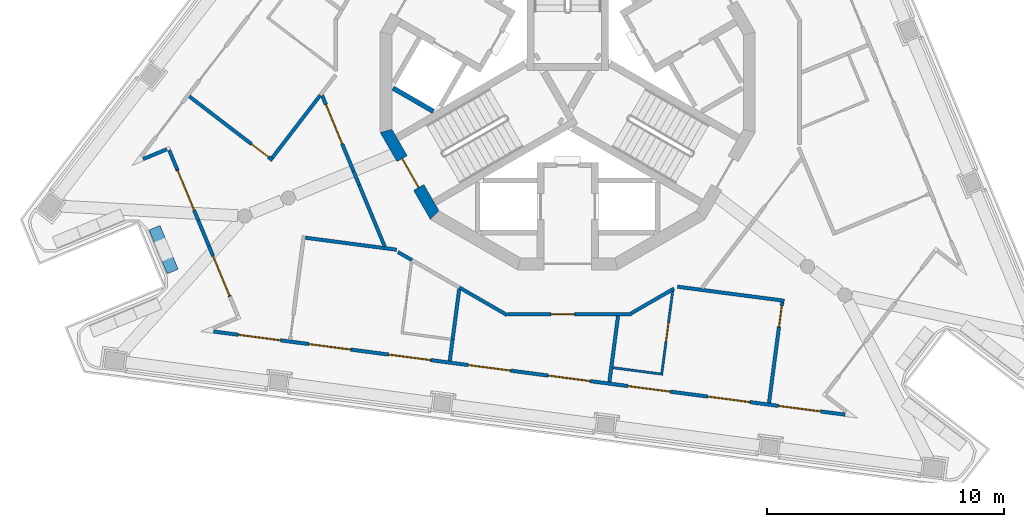
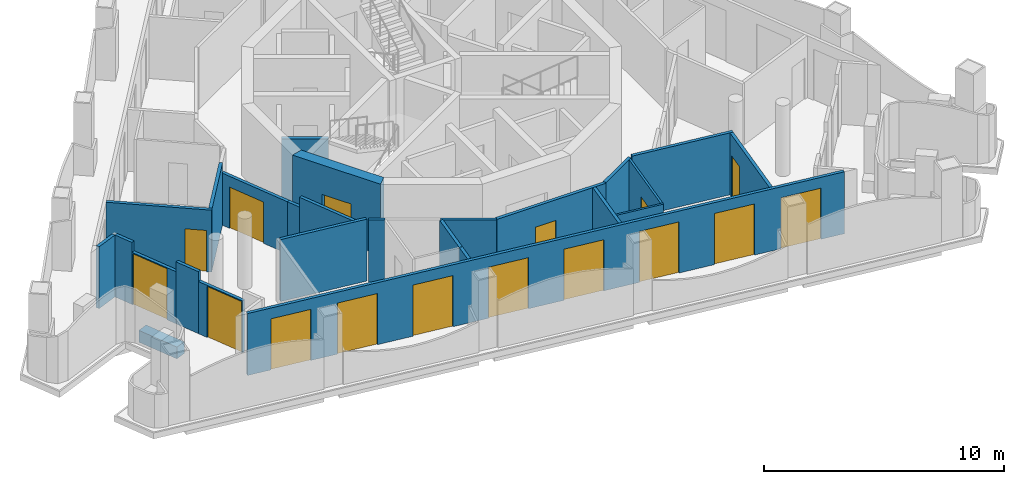
# One storey, part 2 of 12: 26 walls, 16 doors, 16 openings.
"""IFC4 building model written with IfcOpenShell, lengths in metres."""

from ifc_helpers import new_model, si_unit, direction, frame, frame_2d, origin, place, context, subcontext, project, spatial, polyline, rectangle, outline, extrude, material, layer, layer_set, type_object, element, fill, save


model = new_model("IFC4")

# Units and contexts
model_context = context("Model", 3, precision=1e-05, world=origin(), true_north=direction((0.0, 1.0)))
body_context = subcontext(model_context, "Body", "Model", "MODEL_VIEW")
ifc_project = project(units=[si_unit("LENGTHUNIT", "METRE"), si_unit("AREAUNIT", "SQUARE_METRE"), si_unit("VOLUMEUNIT", "CUBIC_METRE"), si_unit("PLANEANGLEUNIT", "RADIAN"), si_unit("MASSUNIT", "GRAM", prefix="KILO")], contexts=[model_context])

# Site, building, storey
site_placement = place(None, origin())
site = spatial("IfcSite", under=ifc_project, at=site_placement, CompositionType="ELEMENT")
building_placement = place(site_placement, origin())
building = spatial("IfcBuilding", under=site, at=building_placement, Name="Trine Commons Tower", CompositionType="ELEMENT")
storey_placement = place(building_placement, frame((0.0, 0.0, 297.0)))
storey = spatial("IfcBuildingStorey", under=building, at=storey_placement, Name="L78", CompositionType="ELEMENT", Elevation=297.0)

# Wall, openings, doors
ifc_material_1 = material(Name="Aluminium-framed insulated wall panel", Category="aluminium")
ifc_layer_1 = layer(ifc_material_1, 0.14990234375)
ifc_layer_set_1 = layer_set([ifc_layer_1], Name="Aluminium-framed insulated wall panel")
wall_type_1 = type_object("IfcWallType", Name="Glazed frame wall 150, EI 60", PredefinedType="SOLIDWALL", material=ifc_layer_set_1)
wall_1_placement = place(storey_placement, frame((91.869140625, 48.4384765625, 0.0), z_axis=(0.0, 0.0, 1.0), x_axis=(-0.991445282789, 0.130522991213, 0.0)))
wall_1 = element("IfcWall", 1, at=wall_1_placement, inside=storey, type_object=wall_type_1, Name="Glazed frame wall F3", PredefinedType="SOLIDWALL", context=body_context, shape_type="SweptSolid", body=[
    extrude(outline(polyline([(0.1494140625, 0.074951171875), (0.1494140625, -0.074951171875), (27.056884765625, -0.074951171875), (27.056884765625, 0.074951171875), (0.1494140625, 0.074951171875)])), origin(), (0.0, 0.0, 1.0), 3.14990234375),
])
opening_1_placement = place(wall_1_placement, frame((1.200439453125, 0.0, 0.0)))
opening_1 = element("IfcOpeningElement", 2, at=opening_1_placement, cuts=wall_1, Name="Opening BD-8F3-01", PredefinedType="OPENING", context=body_context, shape_type="SweptSolid", body=[
    extrude(rectangle(XDim=1.800048828125, YDim=2.60009765625, at=frame_2d((0.89990234375, 1.300048828125))), frame((0.0, 0.0849609375, 0.0), z_axis=(0.0, -1.0, 0.0), x_axis=(1.0, 0.0, 0.0)), (0.0, 0.0, 1.0), 0.169921875),
])
opening_2_placement = place(wall_1_placement, frame((4.201171875, 0.0, 0.0)))
opening_2 = element("IfcOpeningElement", 3, at=opening_2_placement, cuts=wall_1, Name="Opening BD-8F3-02", PredefinedType="OPENING", context=body_context, shape_type="SweptSolid", body=[
    extrude(rectangle(XDim=1.800048828125, YDim=2.60009765625, at=frame_2d((0.89990234375, 1.300048828125))), frame((0.0, 0.0849609375, 0.0), z_axis=(0.0, -1.0, 0.0), x_axis=(1.0, 0.0, 0.0)), (0.0, 0.0, 1.0), 0.169921875),
])
opening_3_placement = place(wall_1_placement, frame((7.60205078125, 0.0, 0.0)))
opening_3 = element("IfcOpeningElement", 4, at=opening_3_placement, cuts=wall_1, Name="Opening BD-8F3-03", PredefinedType="OPENING", context=body_context, shape_type="SweptSolid", body=[
    extrude(rectangle(XDim=1.800048828125, YDim=2.60009765625, at=frame_2d((0.89990234375, 1.300048828125))), frame((0.0, 0.0849609375, 0.0), z_axis=(0.0, -1.0, 0.0), x_axis=(1.0, 0.0, 0.0)), (0.0, 0.0, 1.0), 0.169921875),
])
opening_4_placement = place(wall_1_placement, frame((11.002685546875, 0.0, 0.0)))
opening_4 = element("IfcOpeningElement", 5, at=opening_4_placement, cuts=wall_1, Name="Opening BD-8F3-04", PredefinedType="OPENING", context=body_context, shape_type="SweptSolid", body=[
    extrude(rectangle(XDim=1.800048828125, YDim=2.60009765625, at=frame_2d((0.89990234375, 1.300048828125))), frame((0.0, 0.0849609375, 0.0), z_axis=(0.0, -1.0, 0.0), x_axis=(1.0, 0.0, 0.0)), (0.0, 0.0, 1.0), 0.169921875),
])
opening_5_placement = place(wall_1_placement, frame((14.403564453125, 0.0, 0.0)))
opening_5 = element("IfcOpeningElement", 6, at=opening_5_placement, cuts=wall_1, Name="Opening BD-8F3-05", PredefinedType="OPENING", context=body_context, shape_type="SweptSolid", body=[
    extrude(rectangle(XDim=1.800048828125, YDim=2.60009765625, at=frame_2d((0.89990234375, 1.300048828125))), frame((0.0, 0.0849609375, 0.0), z_axis=(0.0, -1.0, 0.0), x_axis=(1.0, 0.0, 0.0)), (0.0, 0.0, 1.0), 0.169921875),
])
opening_6_placement = place(wall_1_placement, frame((17.804443359375, 0.0, 0.0)))
opening_6 = element("IfcOpeningElement", 7, at=opening_6_placement, cuts=wall_1, Name="Opening BD-8F3-06", PredefinedType="OPENING", context=body_context, shape_type="SweptSolid", body=[
    extrude(rectangle(XDim=1.800048828125, YDim=2.60009765625, at=frame_2d((0.89990234375, 1.300048828125))), frame((0.0, 0.0849609375, 0.0), z_axis=(0.0, -1.0, 0.0), x_axis=(1.0, 0.0, 0.0)), (0.0, 0.0, 1.0), 0.169921875),
])
opening_7_placement = place(wall_1_placement, frame((21.205078125, 0.0, 0.0)))
opening_7 = element("IfcOpeningElement", 8, at=opening_7_placement, cuts=wall_1, Name="Opening BD-8F3-07", PredefinedType="OPENING", context=body_context, shape_type="SweptSolid", body=[
    extrude(rectangle(XDim=1.800048828125, YDim=2.60009765625, at=frame_2d((0.89990234375, 1.300048828125))), frame((0.0, 0.0849609375, 0.0), z_axis=(0.0, -1.0, 0.0), x_axis=(1.0, 0.0, 0.0)), (0.0, 0.0, 1.0), 0.169921875),
])
opening_8_placement = place(wall_1_placement, frame((24.2060546875, 0.0, 0.0)))
opening_8 = element("IfcOpeningElement", 9, at=opening_8_placement, cuts=wall_1, Name="Opening BD-8F3-08", PredefinedType="OPENING", context=body_context, shape_type="SweptSolid", body=[
    extrude(rectangle(XDim=1.800048828125, YDim=2.60009765625, at=frame_2d((0.89990234375, 1.300048828125))), frame((0.0, 0.0849609375, 0.0), z_axis=(0.0, -1.0, 0.0), x_axis=(1.0, 0.0, 0.0)), (0.0, 0.0, 1.0), 0.169921875),
])
ifc_material_2 = material(Name="Anodised aluminium frame with double glazing", Category="aluminium")
door_type_1 = type_object("IfcDoorType", Name="Sliding loggia door 1800x2600", OperationType="SLIDING_TO_LEFT", PredefinedType="DOOR", material=ifc_material_2)
door_1_placement = place(opening_1_placement, origin())
door_1 = element("IfcDoor", 10, at=door_1_placement, inside=storey, type_object=door_type_1, Name="Loggia door F3 1", OperationType="SLIDING_TO_LEFT", OverallHeight=2.60009765625, OverallWidth=1.800048828125, PredefinedType="DOOR", context=body_context, shape_type="SweptSolid", body=[
    extrude(rectangle(XDim=1.800048828125, YDim=2.60009765625, at=frame_2d((0.89990234375, 1.300048828125))), frame((0.0, 0.02490234375, 0.0), z_axis=(0.0, -1.0, 0.0), x_axis=(1.0, 0.0, 0.0)), (0.0, 0.0, 1.0), 0.050048828125),
])
fill(opening_1, door_1)
door_2_placement = place(opening_2_placement, origin())
door_2 = element("IfcDoor", 11, at=door_2_placement, inside=storey, type_object=door_type_1, Name="Loggia door F3 2", OperationType="SLIDING_TO_LEFT", OverallHeight=2.60009765625, OverallWidth=1.800048828125, PredefinedType="DOOR", context=body_context, shape_type="SweptSolid", body=[
    extrude(rectangle(XDim=1.800048828125, YDim=2.60009765625, at=frame_2d((0.89990234375, 1.300048828125))), frame((0.0, 0.02490234375, 0.0), z_axis=(0.0, -1.0, 0.0), x_axis=(1.0, 0.0, 0.0)), (0.0, 0.0, 1.0), 0.050048828125),
])
fill(opening_2, door_2)
door_3_placement = place(opening_3_placement, origin())
door_3 = element("IfcDoor", 12, at=door_3_placement, inside=storey, type_object=door_type_1, Name="Loggia door F3 3", OperationType="SLIDING_TO_LEFT", OverallHeight=2.60009765625, OverallWidth=1.800048828125, PredefinedType="DOOR", context=body_context, shape_type="SweptSolid", body=[
    extrude(rectangle(XDim=1.800048828125, YDim=2.60009765625, at=frame_2d((0.89990234375, 1.300048828125))), frame((0.0, 0.02490234375, 0.0), z_axis=(0.0, -1.0, 0.0), x_axis=(1.0, 0.0, 0.0)), (0.0, 0.0, 1.0), 0.050048828125),
])
fill(opening_3, door_3)
door_4_placement = place(opening_4_placement, origin())
door_4 = element("IfcDoor", 13, at=door_4_placement, inside=storey, type_object=door_type_1, Name="Loggia door F3 4", OperationType="SLIDING_TO_LEFT", OverallHeight=2.60009765625, OverallWidth=1.800048828125, PredefinedType="DOOR", context=body_context, shape_type="SweptSolid", body=[
    extrude(rectangle(XDim=1.800048828125, YDim=2.60009765625, at=frame_2d((0.89990234375, 1.300048828125))), frame((0.0, 0.02490234375, 0.0), z_axis=(0.0, -1.0, 0.0), x_axis=(1.0, 0.0, 0.0)), (0.0, 0.0, 1.0), 0.050048828125),
])
fill(opening_4, door_4)
door_5_placement = place(opening_5_placement, origin())
door_5 = element("IfcDoor", 14, at=door_5_placement, inside=storey, type_object=door_type_1, Name="Loggia door F3 5", OperationType="SLIDING_TO_LEFT", OverallHeight=2.60009765625, OverallWidth=1.800048828125, PredefinedType="DOOR", context=body_context, shape_type="SweptSolid", body=[
    extrude(rectangle(XDim=1.800048828125, YDim=2.60009765625, at=frame_2d((0.89990234375, 1.300048828125))), frame((0.0, 0.02490234375, 0.0), z_axis=(0.0, -1.0, 0.0), x_axis=(1.0, 0.0, 0.0)), (0.0, 0.0, 1.0), 0.050048828125),
])
fill(opening_5, door_5)
door_6_placement = place(opening_6_placement, origin())
door_6 = element("IfcDoor", 15, at=door_6_placement, inside=storey, type_object=door_type_1, Name="Loggia door F3 6", OperationType="SLIDING_TO_LEFT", OverallHeight=2.60009765625, OverallWidth=1.800048828125, PredefinedType="DOOR", context=body_context, shape_type="SweptSolid", body=[
    extrude(rectangle(XDim=1.800048828125, YDim=2.60009765625, at=frame_2d((0.89990234375, 1.300048828125))), frame((0.0, 0.02490234375, 0.0), z_axis=(0.0, -1.0, 0.0), x_axis=(1.0, 0.0, 0.0)), (0.0, 0.0, 1.0), 0.050048828125),
])
fill(opening_6, door_6)
door_7_placement = place(opening_7_placement, origin())
door_7 = element("IfcDoor", 16, at=door_7_placement, inside=storey, type_object=door_type_1, Name="Loggia door F3 7", OperationType="SLIDING_TO_LEFT", OverallHeight=2.60009765625, OverallWidth=1.800048828125, PredefinedType="DOOR", context=body_context, shape_type="SweptSolid", body=[
    extrude(rectangle(XDim=1.800048828125, YDim=2.60009765625, at=frame_2d((0.89990234375, 1.300048828125))), frame((0.0, 0.02490234375, 0.0), z_axis=(0.0, -1.0, 0.0), x_axis=(1.0, 0.0, 0.0)), (0.0, 0.0, 1.0), 0.050048828125),
])
fill(opening_7, door_7)
door_8_placement = place(opening_8_placement, origin())
door_8 = element("IfcDoor", 17, at=door_8_placement, inside=storey, type_object=door_type_1, Name="Loggia door F3 8", OperationType="SLIDING_TO_LEFT", OverallHeight=2.60009765625, OverallWidth=1.800048828125, PredefinedType="DOOR", context=body_context, shape_type="SweptSolid", body=[
    extrude(rectangle(XDim=1.800048828125, YDim=2.60009765625, at=frame_2d((0.89990234375, 1.300048828125))), frame((0.0, 0.02490234375, 0.0), z_axis=(0.0, -1.0, 0.0), x_axis=(1.0, 0.0, 0.0)), (0.0, 0.0, 1.0), 0.050048828125),
])
fill(opening_8, door_8)

# Wall, opening, door
wall_2_placement = place(storey_placement, frame((65.72802734375, 53.449462890625, 0.0), z_axis=(0.0, 0.0, 1.0), x_axis=(-0.382693948857, 0.923875176368, 0.0)))
wall_2 = element("IfcWall", 18, at=wall_2_placement, inside=storey, type_object=wall_type_1, Name="Glazed frame wall P3.2", PredefinedType="SOLIDWALL", context=body_context, shape_type="SweptSolid", body=[
    extrude(outline(polyline([(0.0, -0.074951171875), (2.310791015625, -0.074951171875), (2.310791015625, 0.074951171875), (0.0, 0.074951171875), (0.0, -0.074951171875)])), origin(), (0.0, 0.0, 1.0), 2.64990234375),
])
opening_9_placement = place(wall_2_placement, frame((0.050048828125, 0.0, 0.0)))
opening_9 = element("IfcOpeningElement", 19, at=opening_9_placement, cuts=wall_2, Name="Opening BD-8P3-01", PredefinedType="OPENING", context=body_context, shape_type="SweptSolid", body=[
    extrude(rectangle(XDim=1.800048828125, YDim=2.60009765625, at=frame_2d((0.89990234375, 1.300048828125))), frame((0.0, 0.0849609375, 0.0), z_axis=(0.0, -1.0, 0.0), x_axis=(1.0, 0.0, 0.0)), (0.0, 0.0, 1.0), 0.169921875),
])
door_9_placement = place(opening_9_placement, origin())
door_9 = element("IfcDoor", 20, at=door_9_placement, inside=storey, type_object=door_type_1, Name="Loggia door P3 1", OperationType="SLIDING_TO_LEFT", OverallHeight=2.60009765625, OverallWidth=1.800048828125, PredefinedType="DOOR", context=body_context, shape_type="SweptSolid", body=[
    extrude(rectangle(XDim=1.800048828125, YDim=2.60009765625, at=frame_2d((0.89990234375, 1.300048828125))), frame((0.0, 0.02490234375, 0.0), z_axis=(0.0, -1.0, 0.0), x_axis=(1.0, 0.0, 0.0)), (0.0, 0.0, 1.0), 0.050048828125),
])
fill(opening_9, door_9)

# Wall
wall_3_placement = place(storey_placement, frame((64.84375, 55.584228515625, 0.0), z_axis=(0.0, 0.0, 1.0), x_axis=(-0.382790839847, 0.923835035561, 0.0)))
element("IfcWall", 21, at=wall_3_placement, inside=storey, type_object=wall_type_1, Name="Glazed frame wall P3.3", PredefinedType="SOLIDWALL", context=body_context, shape_type="SweptSolid", body=[
    extrude(outline(polyline([(0.0, -0.074951171875), (1.1787109375, -0.074951171875), (1.1787109375, 0.074951171875), (0.0, 0.074951171875), (0.0, -0.074951171875)])), origin(), (0.0, 0.0, 1.0), 3.14990234375),
])

# Wall, opening, door
wall_4_placement = place(storey_placement, frame((64.392578125, 56.673095703125, 0.0), z_axis=(0.0, 0.0, 1.0), x_axis=(-0.382693948857, 0.923875176368, 0.0)))
wall_4 = element("IfcWall", 22, at=wall_4_placement, inside=storey, type_object=wall_type_1, Name="Glazed frame wall P3.4", PredefinedType="SOLIDWALL", context=body_context, shape_type="SweptSolid", body=[
    extrude(outline(polyline([(0.0, -0.074951171875), (2.310546875, -0.074951171875), (2.310546875, 0.074951171875), (0.0, 0.074951171875), (0.0, -0.074951171875)])), origin(), (0.0, 0.0, 1.0), 2.64990234375),
])
opening_10_placement = place(wall_4_placement, frame((0.460693359375, 0.0, 0.0)))
opening_10 = element("IfcOpeningElement", 23, at=opening_10_placement, cuts=wall_4, Name="Opening BD-8P3-02", PredefinedType="OPENING", context=body_context, shape_type="SweptSolid", body=[
    extrude(rectangle(XDim=1.800048828125, YDim=2.60009765625, at=frame_2d((0.89990234375, 1.300048828125))), frame((0.0, 0.0849609375, 0.0), z_axis=(0.0, -1.0, 0.0), x_axis=(1.0, 0.0, 0.0)), (0.0, 0.0, 1.0), 0.169921875),
])
door_10_placement = place(opening_10_placement, origin())
door_10 = element("IfcDoor", 24, at=door_10_placement, inside=storey, type_object=door_type_1, Name="Loggia door P3 2", OperationType="SLIDING_TO_LEFT", OverallHeight=2.60009765625, OverallWidth=1.800048828125, PredefinedType="DOOR", context=body_context, shape_type="SweptSolid", body=[
    extrude(rectangle(XDim=1.800048828125, YDim=2.60009765625, at=frame_2d((0.89990234375, 1.300048828125))), frame((0.0, 0.02490234375, 0.0), z_axis=(0.0, -1.0, 0.0), x_axis=(1.0, 0.0, 0.0)), (0.0, 0.0, 1.0), 0.050048828125),
])
fill(opening_10, door_10)

# Walls
wall_5_placement = place(storey_placement, frame((63.50830078125, 58.807861328125, 0.0), z_axis=(0.0, 0.0, 1.0), x_axis=(-0.382603377961, 0.923912688068, 0.0)))
element("IfcWall", 25, at=wall_5_placement, inside=storey, type_object=wall_type_1, Name="Glazed frame wall P3.5", PredefinedType="SOLIDWALL", context=body_context, shape_type="SweptSolid", body=[
    extrude(outline(polyline([(0.889892578125, 0.074951171875), (0.0, 0.074951171875), (0.0, -0.074951171875), (0.889892578125, -0.074951171875), (0.889892578125, 0.074951171875)])), origin(), (0.0, 0.0, 1.0), 3.14990234375),
])
wall_6_placement = place(storey_placement, frame((63.17138671875, 59.712890625, 0.0), z_axis=(0.0, 0.0, 1.0), x_axis=(-0.923837625967, -0.382784588048, 0.0)))
element("IfcWall", 26, at=wall_6_placement, inside=storey, type_object=wall_type_1, Name="Glazed frame wall R12", PredefinedType="SOLIDWALL", context=body_context, shape_type="SweptSolid", body=[
    extrude(outline(polyline([(0.110107421875, 0.074951171875), (0.110107421875, -0.074951171875), (1.19580078125, -0.074951171875), (1.19580078125, 0.074951171875), (0.110107421875, 0.074951171875)])), origin(), (0.0, 0.0, 1.0), 3.14990234375),
])
ifc_material_3 = material(Name="Planter trough, precast concrete C40/50", Category="concrete")
ifc_layer_2 = layer(ifc_material_3, 0.5)
ifc_layer_set_2 = layer_set([ifc_layer_2], Name="Planter trough, precast concrete C40/50")
wall_type_2 = type_object("IfcWallType", Name="Planter trough 500x600", PredefinedType="PARAPET", material=ifc_layer_set_2)
wall_7_placement = place(storey_placement, frame((63.314697265625, 54.50634765625, 0.0), z_axis=(0.0, 0.0, 1.0), x_axis=(-0.382707581205, 0.923869529365, 0.0)))
element("IfcWall", 27, at=wall_7_placement, inside=storey, type_object=wall_type_2, Name="Planter 2", PredefinedType="PARAPET", context=body_context, shape_type="SweptSolid", body=[
    extrude(rectangle(XDim=2.0, YDim=0.5, at=frame_2d((1.0, 0.0))), origin(), (0.0, 0.0, 1.0), 0.60009765625),
])

# Wall, opening, door
ifc_material_4 = material(Name="Concrete C50/60", Category="concrete")
ifc_layer_3 = layer(ifc_material_4, 0.5)
ifc_layer_set_3 = layer_set([ifc_layer_3], Name="Concrete C50/60")
wall_type_3 = type_object("IfcWallType", Name="RC shear wall 500 mm, C50/60", PredefinedType="SHEAR", material=ifc_layer_set_3)
wall_8_placement = place(storey_placement, frame((72.2958984375, 60.502685546875, 0.0), z_axis=(0.0, 0.0, 1.0), x_axis=(0.499992968425, -0.866029463428, 0.0)))
wall_8 = element("IfcWall", 28, at=wall_8_placement, inside=storey, type_object=wall_type_3, Name="Core wall CWH-08 L78", PredefinedType="SHEAR", context=body_context, shape_type="SweptSolid", body=[
    extrude(outline(polyline([(0.0, -0.25), (4.24462890625, -0.25), (4.110595703125, 0.25), (0.134033203125, 0.25), (0.0, -0.25)])), origin(), (0.0, 0.0, 1.0), 3.60009765625),
])
opening_11_placement = place(wall_8_placement, frame((1.42236328125, 0.0, 0.0)))
opening_11 = element("IfcOpeningElement", 29, at=opening_11_placement, cuts=wall_8, Name="Opening K18.02", PredefinedType="OPENING", context=body_context, shape_type="SweptSolid", body=[
    extrude(rectangle(XDim=1.39990234375, YDim=2.10009765625, at=frame_2d((0.699951171875, 1.050048828125))), frame((0.0, 0.260009765625, 0.0), z_axis=(0.0, -1.0, 0.0), x_axis=(1.0, 0.0, 0.0)), (0.0, 0.0, 1.0), 0.52001953125),
])
ifc_material_5 = material(Name="Steel door leaves, fire-rated", Category="steel")
door_type_2 = type_object("IfcDoorType", Name="Stair door, double leaf 1400 x 2100, FD90", OperationType="DOUBLE_DOOR_SINGLE_SWING", PredefinedType="DOOR", material=ifc_material_5)
door_11_placement = place(opening_11_placement, origin())
door_11 = element("IfcDoor", 30, at=door_11_placement, inside=storey, type_object=door_type_2, Name="Stair door to Exit stair ST2D L78", OperationType="DOUBLE_DOOR_SINGLE_SWING", OverallHeight=2.10009765625, OverallWidth=1.39990234375, PredefinedType="DOOR", context=body_context, shape_type="SweptSolid", body=[
    extrude(rectangle(XDim=1.39990234375, YDim=2.10009765625, at=frame_2d((0.699951171875, 1.050048828125))), frame((0.0, 0.02490234375, 0.0), z_axis=(0.0, -1.0, 0.0), x_axis=(1.0, 0.0, 0.0)), (0.0, 0.0, 1.0), 0.050048828125),
])
fill(opening_11, door_11)

# Wall
ifc_material_6 = material(Name="Fire-rated gypsum shaft wall system")
ifc_layer_4 = layer(ifc_material_6, 0.199951171875)
ifc_layer_set_4 = layer_set([ifc_layer_4], Name="Fire-rated gypsum shaft wall system")
wall_type_4 = type_object("IfcWallType", Name="Shaft wall 200 mm, EI 120", PredefinedType="PARTITIONING", material=ifc_layer_set_4)
wall_9_placement = place(storey_placement, frame((74.324951171875, 61.27294921875, 0.0), z_axis=(0.0, 0.0, 1.0), x_axis=(-0.86585547495, 0.500294209939, 0.0)))
element("IfcWall", 31, at=wall_9_placement, inside=storey, type_object=wall_type_4, Name="Shaft wall L78", PredefinedType="PARTITIONING", context=body_context, shape_type="SweptSolid", body=[
    extrude(rectangle(XDim=1.958740234375, YDim=0.199951171875, at=frame_2d((0.9794921875, 0.0))), origin(), (0.0, 0.0, 1.0), 3.14990234375),
])

# Wall, opening, door
ifc_material_7 = material(Name="Gypsum plasterboard on steel stud", Category="steel")
ifc_layer_5 = layer(ifc_material_7, 0.14990234375)
ifc_layer_set_5 = layer_set([ifc_layer_5], Name="Gypsum plasterboard on steel stud")
wall_type_5 = type_object("IfcWallType", Name="Unit and corridor wall 150 mm, EI 60", PredefinedType="PARTITIONING", material=ifc_layer_set_5)
wall_10_placement = place(storey_placement, frame((64.017578125, 61.903564453125, 0.0), z_axis=(0.0, 0.0, 1.0), x_axis=(0.793364364442, -0.608747061786, 0.0)))
wall_10 = element("IfcWall", 32, at=wall_10_placement, inside=storey, type_object=wall_type_5, Name="Partition 001", PredefinedType="PARTITIONING", context=body_context, shape_type="SweptSolid", body=[
    extrude(rectangle(XDim=4.43408203125, YDim=0.14990234375, at=frame_2d((2.217041015625, 0.0))), origin(), (0.0, 0.0, 1.0), 3.14990234375),
])
opening_12_placement = place(wall_10_placement, frame((3.30908203125, 0.0, 0.0)))
opening_12 = element("IfcOpeningElement", 33, at=opening_12_placement, cuts=wall_10, Name="Opening D-8C04", PredefinedType="OPENING", context=body_context, shape_type="SweptSolid", body=[
    extrude(rectangle(XDim=0.89990234375, YDim=2.10009765625, at=frame_2d((0.449951171875, 1.050048828125))), frame((0.0, 0.0849609375, 0.0), z_axis=(0.0, -1.0, 0.0), x_axis=(1.0, 0.0, 0.0)), (0.0, 0.0, 1.0), 0.169921875),
])
ifc_material_8 = material(Name="Timber fire door set", Category="wood")
door_type_3 = type_object("IfcDoorType", Name="Bedroom door 900 x 2100, FD30S", OperationType="NOTDEFINED", PredefinedType="DOOR", material=ifc_material_8)
door_12_placement = place(opening_12_placement, origin())
door_12 = element("IfcDoor", 34, at=door_12_placement, inside=storey, type_object=door_type_3, Name="Door D-8C04", OperationType="SINGLE_SWING_RIGHT", OverallHeight=2.10009765625, OverallWidth=0.89990234375, PredefinedType="DOOR", context=body_context, shape_type="SweptSolid", body=[
    extrude(rectangle(XDim=0.89990234375, YDim=2.10009765625, at=frame_2d((0.449951171875, 1.050048828125))), frame((0.0, 0.02490234375, 0.0), z_axis=(0.0, -1.0, 0.0), x_axis=(1.0, 0.0, 0.0)), (0.0, 0.0, 1.0), 0.050048828125),
])
fill(opening_12, door_12)

# Walls
wall_11_placement = place(storey_placement, frame((67.521728515625, 59.3095703125, 0.0), z_axis=(0.0, 0.0, 1.0), x_axis=(0.608922983319, 0.793229349171, 0.0)))
element("IfcWall", 35, at=wall_11_placement, inside=storey, type_object=wall_type_5, Name="Partition 004", PredefinedType="PARTITIONING", context=body_context, shape_type="SweptSolid", body=[
    extrude(rectangle(XDim=3.326171875, YDim=0.14990234375, at=frame_2d((1.6630859375, 0.0))), origin(), (0.0, 0.0, 1.0), 3.14990234375),
])
wall_12_placement = place(storey_placement, frame((68.92041015625, 55.93310546875, 0.0), z_axis=(0.0, 0.0, 1.0), x_axis=(0.991448734514, -0.130496769429, 0.0)))
element("IfcWall", 36, at=wall_12_placement, inside=storey, type_object=wall_type_5, Name="Partition 007", PredefinedType="PARTITIONING", context=body_context, shape_type="SweptSolid", body=[
    extrude(rectangle(XDim=3.8857421875, YDim=0.14990234375, at=frame_2d((1.94287109375, 0.0))), origin(), (0.0, 0.0, 1.0), 3.14990234375),
])

# Wall, opening, door
wall_13_placement = place(storey_placement, frame((69.626708984375, 61.94580078125, 0.0), z_axis=(0.0, 0.0, 1.0), x_axis=(0.382659407135, -0.923889483721, 0.0)))
wall_13 = element("IfcWall", 37, at=wall_13_placement, inside=storey, type_object=wall_type_5, Name="Partition 009", PredefinedType="PARTITIONING", context=body_context, shape_type="SweptSolid", body=[
    extrude(rectangle(XDim=3.4580078125, YDim=0.14990234375, at=frame_2d((1.72900390625, 0.0))), origin(), (0.0, 0.0, 1.0), 2.64990234375),
])
opening_13_placement = place(wall_13_placement, frame((0.421630859375, 0.0, 0.0)))
opening_13 = element("IfcOpeningElement", 38, at=opening_13_placement, cuts=wall_13, Name="Opening D-8C03", PredefinedType="OPENING", context=body_context, shape_type="SweptSolid", body=[
    extrude(rectangle(XDim=1.800048828125, YDim=2.10009765625, at=frame_2d((0.89990234375, 1.050048828125))), frame((0.0, 0.0849609375, 0.0), z_axis=(0.0, -1.0, 0.0), x_axis=(1.0, 0.0, 0.0)), (0.0, 0.0, 1.0), 0.169921875),
])
door_type_4 = type_object("IfcDoorType", Name="Cluster entrance door 1800 x 2100, double leaf, FD30S", OperationType="DOUBLE_DOOR_DOUBLE_SWING", PredefinedType="DOOR", material=ifc_material_8)
door_13_placement = place(opening_13_placement, frame((1.800048828125, 0.0, 0.0), z_axis=(0.0, 0.0, 1.0), x_axis=(-1.0, 0.0, 0.0)))
door_13 = element("IfcDoor", 39, at=door_13_placement, inside=storey, type_object=door_type_4, Name="Door D-8C03", OperationType="DOUBLE_DOOR_DOUBLE_SWING", OverallHeight=2.10009765625, OverallWidth=1.800048828125, PredefinedType="DOOR", context=body_context, shape_type="SweptSolid", body=[
    extrude(rectangle(XDim=1.800048828125, YDim=2.10009765625, at=frame_2d((0.89990234375, 1.050048828125))), frame((0.0, 0.02490234375, 0.0), z_axis=(0.0, -1.0, 0.0), x_axis=(1.0, 0.0, 0.0)), (0.0, 0.0, 1.0), 0.050048828125),
])
fill(opening_13, door_13)

# Walls
wall_14_placement = place(storey_placement, frame((70.949951171875, 58.7509765625, 0.0), z_axis=(0.0, 0.0, 1.0), x_axis=(0.383291989612, -0.923627224967, 0.0)))
element("IfcWall", 40, at=wall_14_placement, inside=storey, type_object=wall_type_5, Name="Partition 013", PredefinedType="PARTITIONING", context=body_context, shape_type="SweptSolid", body=[
    extrude(rectangle(XDim=0.64208984375, YDim=0.14990234375, at=frame_2d((0.321044921875, 0.0))), origin(), (0.0, 0.0, 1.0), 2.64990234375),
])
wall_15_placement = place(storey_placement, frame((71.196044921875, 58.157958984375, 0.0), z_axis=(0.0, 0.0, 1.0), x_axis=(0.382668413767, -0.923885753275, 0.0)))
element("IfcWall", 41, at=wall_15_placement, inside=storey, type_object=wall_type_5, Name="Partition 014", PredefinedType="PARTITIONING", context=body_context, shape_type="SweptSolid", body=[
    extrude(rectangle(XDim=2.81494140625, YDim=0.14990234375, at=frame_2d((1.407470703125, 0.0))), origin(), (0.0, 0.0, 1.0), 3.14990234375),
])
wall_16_placement = place(storey_placement, frame((72.8291015625, 55.3291015625, 0.0), z_axis=(0.0, 0.0, 1.0), x_axis=(0.866221516538, -0.499660168801, 0.0)))
element("IfcWall", 42, at=wall_16_placement, inside=storey, type_object=wall_type_5, Name="Partition 016", PredefinedType="PARTITIONING", context=body_context, shape_type="SweptSolid", body=[
    extrude(rectangle(XDim=0.6787109375, YDim=0.14990234375, at=frame_2d((0.33935546875, 0.0))), origin(), (0.0, 0.0, 1.0), 3.14990234375),
])
wall_17_placement = place(storey_placement, frame((75.020263671875, 50.732666015625, 0.0), z_axis=(0.0, 0.0, 1.0), x_axis=(0.130869029151, 0.99139966573, 0.0)))
element("IfcWall", 43, at=wall_17_placement, inside=storey, type_object=wall_type_5, Name="Partition 023", PredefinedType="PARTITIONING", context=body_context, shape_type="SweptSolid", body=[
    extrude(rectangle(XDim=0.9140625, YDim=0.14990234375, at=frame_2d((0.45703125, 0.0))), origin(), (0.0, 0.0, 1.0), 3.14990234375),
])
wall_18_placement = place(storey_placement, frame((75.132568359375, 51.581298828125, 0.0), z_axis=(0.0, 0.0, 1.0), x_axis=(0.130310457231, 0.991473239546, 0.0)))
element("IfcWall", 44, at=wall_18_placement, inside=storey, type_object=wall_type_5, Name="Partition 024", PredefinedType="PARTITIONING", context=body_context, shape_type="SweptSolid", body=[
    extrude(rectangle(XDim=2.192138671875, YDim=0.14990234375, at=frame_2d((1.09619140625, 0.0))), origin(), (0.0, 0.0, 1.0), 3.14990234375),
])
wall_19_placement = place(storey_placement, frame((75.424072265625, 53.830078125, 0.0), z_axis=(0.0, 0.0, 1.0), x_axis=(0.866079046274, -0.49990707697, 0.0)))
element("IfcWall", 45, at=wall_19_placement, inside=storey, type_object=wall_type_5, Name="Partition 025", PredefinedType="PARTITIONING", context=body_context, shape_type="SweptSolid", body=[
    extrude(rectangle(XDim=2.32763671875, YDim=0.14990234375, at=frame_2d((1.163818359375, 0.0))), origin(), (0.0, 0.0, 1.0), 3.14990234375),
])

# Wall, opening, door
wall_20_placement = place(storey_placement, frame((77.449951171875, 52.7041015625, 0.0), z_axis=(0.0, 0.0, 1.0), x_axis=(1.0, 0.0, 0.0)))
wall_20 = element("IfcWall", 46, at=wall_20_placement, inside=storey, type_object=wall_type_5, Name="Partition 027", PredefinedType="PARTITIONING", context=body_context, shape_type="SweptSolid", body=[
    extrude(rectangle(XDim=5.25, YDim=0.14990234375, at=frame_2d((2.625, 0.0))), origin(), (0.0, 0.0, 1.0), 3.14990234375),
])
opening_14_placement = place(wall_20_placement, frame((1.844970703125, 0.0, 0.0)))
opening_14 = element("IfcOpeningElement", 47, at=opening_14_placement, cuts=wall_20, Name="Opening D-8C12", PredefinedType="OPENING", context=body_context, shape_type="SweptSolid", body=[
    extrude(rectangle(XDim=1.0, YDim=2.10009765625, at=frame_2d((0.5, 1.050048828125))), frame((0.0, 0.0849609375, 0.0), z_axis=(0.0, -1.0, 0.0), x_axis=(1.0, 0.0, 0.0)), (0.0, 0.0, 1.0), 0.169921875),
])
ifc_material_9 = material(Name="Painted timber", Category="wood")
door_type_5 = type_object("IfcDoorType", Name="Amenity room door 1000 x 2100, NOT RATED", OperationType="NOTDEFINED", PredefinedType="DOOR", material=ifc_material_9)
door_14_placement = place(opening_14_placement, frame((1.0, 0.0, 0.0), z_axis=(0.0, 0.0, 1.0), x_axis=(-1.0, 0.0, 0.0)))
door_14 = element("IfcDoor", 48, at=door_14_placement, inside=storey, type_object=door_type_5, Name="Door D-8C12", OperationType="SINGLE_SWING_RIGHT", OverallHeight=2.10009765625, OverallWidth=1.0, PredefinedType="DOOR", context=body_context, shape_type="SweptSolid", body=[
    extrude(rectangle(XDim=1.0, YDim=2.10009765625, at=frame_2d((0.5, 1.050048828125))), frame((0.0, 0.02490234375, 0.0), z_axis=(0.0, -1.0, 0.0), x_axis=(1.0, 0.0, 0.0)), (0.0, 0.0, 1.0), 0.050048828125),
])
fill(opening_14, door_14)

# Walls
wall_21_placement = place(storey_placement, frame((81.76416015625, 49.8447265625, 0.0), z_axis=(0.0, 0.0, 1.0), x_axis=(0.130290377986, 0.991475878377, 0.0)))
element("IfcWall", 49, at=wall_21_placement, inside=storey, type_object=wall_type_5, Name="Partition 031", PredefinedType="PARTITIONING", context=body_context, shape_type="SweptSolid", body=[
    extrude(rectangle(XDim=2.808837890625, YDim=0.14990234375, at=frame_2d((1.404296875, 0.0))), origin(), (0.0, 0.0, 1.0), 3.14990234375),
])
wall_22_placement = place(storey_placement, frame((82.68994140625, 52.741455078125, 0.0), z_axis=(0.0, 0.0, 1.0), x_axis=(0.865883116349, 0.500246368125, 0.0)))
element("IfcWall", 50, at=wall_22_placement, inside=storey, type_object=wall_type_5, Name="Partition 033", PredefinedType="PARTITIONING", context=body_context, shape_type="SweptSolid", body=[
    extrude(rectangle(XDim=2.083984375, YDim=0.14990234375, at=frame_2d((1.0419921875, 0.0))), origin(), (0.0, 0.0, 1.0), 3.14990234375),
])
wall_23_placement = place(storey_placement, frame((84.634033203125, 53.864013671875, 0.0), z_axis=(0.0, 0.0, 1.0), x_axis=(0.99144097389, -0.130555717195, 0.0)))
element("IfcWall", 51, at=wall_23_placement, inside=storey, type_object=wall_type_5, Name="Partition 039", PredefinedType="PARTITIONING", context=body_context, shape_type="SweptSolid", body=[
    extrude(rectangle(XDim=4.555419921875, YDim=0.14990234375, at=frame_2d((2.27783203125, 0.0))), origin(), (0.0, 0.0, 1.0), 3.14990234375),
])

# Wall, opening, door
wall_24_placement = place(storey_placement, frame((88.507080078125, 48.956787109375, 0.0), z_axis=(0.0, 0.0, 1.0), x_axis=(0.130491363381, 0.991449446055, 0.0)))
wall_24 = element("IfcWall", 52, at=wall_24_placement, inside=storey, type_object=wall_type_5, Name="Partition 051", PredefinedType="PARTITIONING", context=body_context, shape_type="SweptSolid", body=[
    extrude(rectangle(XDim=4.284423828125, YDim=0.14990234375, at=frame_2d((2.14208984375, 0.0))), origin(), (0.0, 0.0, 1.0), 3.14990234375),
])
opening_15_placement = place(wall_24_placement, frame((3.234619140625, 0.0, 0.0)))
opening_15 = element("IfcOpeningElement", 53, at=opening_15_placement, cuts=wall_24, Name="Opening D-8C11", PredefinedType="OPENING", context=body_context, shape_type="SweptSolid", body=[
    extrude(rectangle(XDim=0.89990234375, YDim=2.10009765625, at=frame_2d((0.449951171875, 1.050048828125))), frame((0.0, 0.0849609375, 0.0), z_axis=(0.0, -1.0, 0.0), x_axis=(1.0, 0.0, 0.0)), (0.0, 0.0, 1.0), 0.169921875),
])
door_15_placement = place(opening_15_placement, origin())
door_15 = element("IfcDoor", 54, at=door_15_placement, inside=storey, type_object=door_type_3, Name="Door D-8C11", OperationType="SINGLE_SWING_RIGHT", OverallHeight=2.10009765625, OverallWidth=0.89990234375, PredefinedType="DOOR", context=body_context, shape_type="SweptSolid", body=[
    extrude(rectangle(XDim=0.89990234375, YDim=2.10009765625, at=frame_2d((0.449951171875, 1.050048828125))), frame((0.0, 0.02490234375, 0.0), z_axis=(0.0, -1.0, 0.0), x_axis=(1.0, 0.0, 0.0)), (0.0, 0.0, 1.0), 0.050048828125),
])
fill(opening_15, door_15)

# Wall
ifc_layer_6 = layer(ifc_material_7, 0.10009765625)
ifc_layer_set_6 = layer_set([ifc_layer_6], Name="Gypsum plasterboard on steel stud")
wall_type_6 = type_object("IfcWallType", Name="Unit partition 100 mm, no rating", PredefinedType="PARTITIONING", material=ifc_layer_set_6)
wall_25_placement = place(storey_placement, frame((81.91845703125, 50.441162109375, 0.0), z_axis=(0.0, 0.0, 1.0), x_axis=(0.991485951756, -0.13021369924, 0.0)))
element("IfcWall", 55, at=wall_25_placement, inside=storey, type_object=wall_type_6, Name="Partition 032", PredefinedType="PARTITIONING", context=body_context, shape_type="SweptSolid", body=[
    extrude(rectangle(XDim=2.124267578125, YDim=0.10009765625, at=frame_2d((1.06201171875, 0.0))), origin(), (0.0, 0.0, 1.0), 3.14990234375),
])

# Wall, opening, door
wall_26_placement = place(storey_placement, frame((83.9814453125, 50.220703125, 0.0), z_axis=(0.0, 0.0, 1.0), x_axis=(0.1308126028, 0.991407112618, 0.0)))
wall_26 = element("IfcWall", 56, at=wall_26_placement, inside=storey, type_object=wall_type_6, Name="Partition 038", PredefinedType="PARTITIONING", context=body_context, shape_type="SweptSolid", body=[
    extrude(rectangle(XDim=3.491943359375, YDim=0.10009765625, at=frame_2d((1.74609375, 0.0))), origin(), (0.0, 0.0, 1.0), 3.14990234375),
])
opening_16_placement = place(wall_26_placement, frame((1.345947265625, 0.0, 0.0)))
opening_16 = element("IfcOpeningElement", 57, at=opening_16_placement, cuts=wall_26, Name="Opening D-8C18", PredefinedType="OPENING", context=body_context, shape_type="SweptSolid", body=[
    extrude(rectangle(XDim=0.800048828125, YDim=2.10009765625, at=frame_2d((0.39990234375, 1.050048828125))), frame((0.0, 0.06005859375, 0.0), z_axis=(0.0, -1.0, 0.0), x_axis=(1.0, 0.0, 0.0)), (0.0, 0.0, 1.0), 0.1201171875),
])
door_type_6 = type_object("IfcDoorType", Name="Internal door 800 x 2100, NOT RATED", OperationType="NOTDEFINED", PredefinedType="DOOR", material=ifc_material_9)
door_16_placement = place(opening_16_placement, frame((0.800048828125, 0.0, 0.0), z_axis=(0.0, 0.0, 1.0), x_axis=(-1.0, 0.0, 0.0)))
door_16 = element("IfcDoor", 58, at=door_16_placement, inside=storey, type_object=door_type_6, Name="Door D-8C18", OperationType="SINGLE_SWING_RIGHT", OverallHeight=2.10009765625, OverallWidth=0.800048828125, PredefinedType="DOOR", context=body_context, shape_type="SweptSolid", body=[
    extrude(rectangle(XDim=0.800048828125, YDim=2.10009765625, at=frame_2d((0.39990234375, 1.050048828125))), frame((0.0, 0.02490234375, 0.0), z_axis=(0.0, -1.0, 0.0), x_axis=(1.0, 0.0, 0.0)), (0.0, 0.0, 1.0), 0.050048828125),
])
fill(opening_16, door_16)

save(model, "model.ifc")
